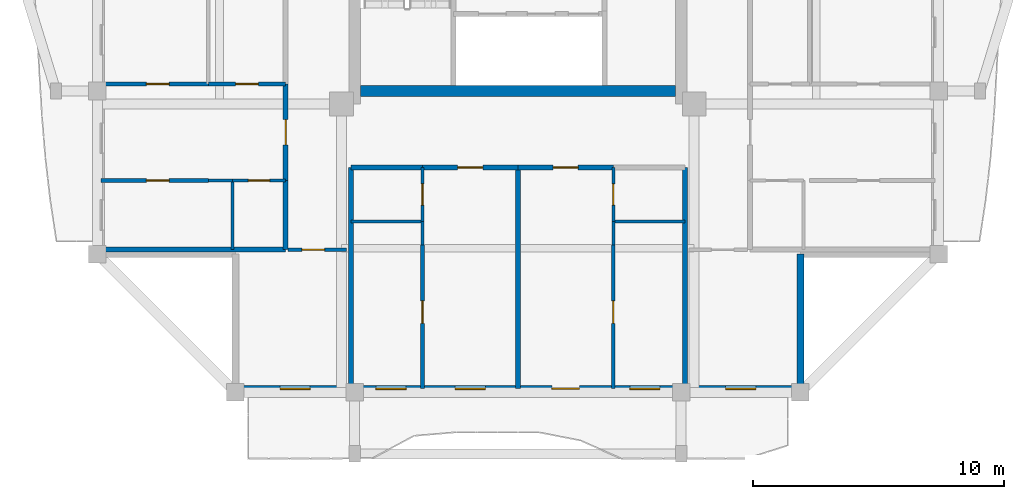
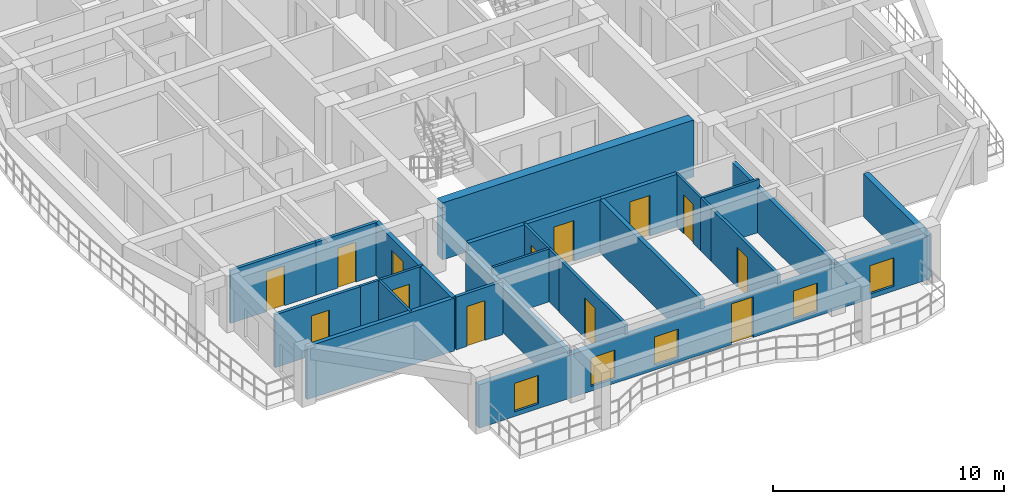
# One storey, part 2 of 13: 27 walls, 13 doors, 5 windows, 18 openings.
"""IFC4 building model written with IfcOpenShell, lengths in metres."""

from ifc_helpers import new_model, si_unit, direction, frame, frame_2d, origin, place, context, subcontext, project, spatial, rectangle, extrude, source, transform, mapped, material, layer, layer_set, type_object, element, fill, save


model = new_model("IFC4")

# Units and contexts
model_context = context("Model", 3, precision=1e-05, world=origin(), true_north=direction((0.0, 1.0)))
body_context = subcontext(model_context, "Body", "Model", "MODEL_VIEW")
ifc_project = project(units=[si_unit("LENGTHUNIT", "METRE"), si_unit("AREAUNIT", "SQUARE_METRE"), si_unit("VOLUMEUNIT", "CUBIC_METRE"), si_unit("PLANEANGLEUNIT", "RADIAN"), si_unit("MASSUNIT", "GRAM", prefix="KILO")], contexts=[model_context])

# Site, building, storey
site_placement = place(None, origin())
site = spatial("IfcSite", under=ifc_project, at=site_placement, CompositionType="ELEMENT")
building_placement = place(site_placement, origin())
building = spatial("IfcBuilding", under=site, at=building_placement, Name="Saelheon Loggia Tower", CompositionType="ELEMENT")
storey_placement = place(building_placement, frame((0.0, 0.0, 223.199951171875)))
storey = spatial("IfcBuildingStorey", under=building, at=storey_placement, Name="L69", CompositionType="ELEMENT", Elevation=223.199951171875)

# Wall
ifc_material_1 = material(Name="Concrete C45/55", Category="concrete")
ifc_layer_1 = layer(ifc_material_1, 0.449951171875)
ifc_layer_set_1 = layer_set([ifc_layer_1], Name="Concrete C45/55")
wall_type_1 = type_object("IfcWallType", Name="Wall_CoreShear_450", PredefinedType="SHEAR", material=ifc_layer_set_1)
wall_1_placement = place(storey_placement, frame((31.72509765625, 18.0, 0.0), z_axis=(0.0, 0.0, 1.0), x_axis=(1.0, 0.0, 0.0)))
element("IfcWall", 1, at=wall_1_placement, inside=storey, type_object=wall_type_1, Name="L69 Core Shear Wall South", PredefinedType="SHEAR", context=body_context, shape_type="SweptSolid", body=[
    extrude(rectangle(XDim=12.5498046875, YDim=0.449951171875, at=frame_2d((6.27490234375, 0.0))), origin(), (0.0, 0.0, 1.0), 3.0),
])

# Wall, openings, windows, door
ifc_material_2 = material(Name="Architectural Precast Concrete C40/50", Category="concrete")
ifc_layer_2 = layer(ifc_material_2, 0.280029296875)
ifc_layer_set_2 = layer_set([ifc_layer_2], Name="Architectural Precast Concrete C40/50")
wall_type_2 = type_object("IfcWallType", Name="Wall_Ext_Loggia_280", PredefinedType="SOLIDWALL", material=ifc_layer_set_2)
wall_2_placement = place(storey_placement, frame((26.75, 6.139892578125, 0.0), z_axis=(0.0, 0.0, 1.0), x_axis=(1.0, 0.0, 0.0)))
wall_2 = element("IfcWall", 2, at=wall_2_placement, inside=storey, type_object=wall_type_2, Name="L69 South Loggia Inner Wall", PredefinedType="SOLIDWALL", context=body_context, shape_type="SweptSolid", body=[
    extrude(rectangle(XDim=22.5, YDim=0.280029296875, at=frame_2d((11.25, 0.0))), origin(), (0.0, 0.0, 1.0), 2.280029296875),
])
opening_1_placement = place(wall_2_placement, frame((1.77490234375, 0.0, 0.25)))
opening_1 = element("IfcOpeningElement", 3, at=opening_1_placement, cuts=wall_2, Name="Opening WN-03", PredefinedType="OPENING", context=body_context, shape_type="SweptSolid", body=[
    extrude(rectangle(XDim=1.199951171875, YDim=1.5, at=frame_2d((0.60009765625, 0.75))), frame((0.0, 0.152099609375, 0.0), z_axis=(0.0, -1.0, 0.0), x_axis=(1.0, 0.0, 0.0)), (0.0, 0.0, 1.0), 0.303955078125),
])
opening_2_placement = place(wall_2_placement, frame((5.594970703125, 0.0, 0.25)))
opening_2 = element("IfcOpeningElement", 4, at=opening_2_placement, cuts=wall_2, Name="Opening WN-03", PredefinedType="OPENING", context=body_context, shape_type="SweptSolid", body=[
    extrude(rectangle(XDim=1.199951171875, YDim=1.5, at=frame_2d((0.60009765625, 0.75))), frame((0.0, 0.152099609375, 0.0), z_axis=(0.0, -1.0, 0.0), x_axis=(1.0, 0.0, 0.0)), (0.0, 0.0, 1.0), 0.303955078125),
])
opening_3_placement = place(wall_2_placement, frame((8.75, 0.0, 0.25)))
opening_3 = element("IfcOpeningElement", 5, at=opening_3_placement, cuts=wall_2, Name="Opening WN-03", PredefinedType="OPENING", context=body_context, shape_type="SweptSolid", body=[
    extrude(rectangle(XDim=1.199951171875, YDim=1.5, at=frame_2d((0.60009765625, 0.75))), frame((0.0, 0.152099609375, 0.0), z_axis=(0.0, -1.0, 0.0), x_axis=(1.0, 0.0, 0.0)), (0.0, 0.0, 1.0), 0.303955078125),
])
opening_4_placement = place(wall_2_placement, frame((13.7001953125, 0.0, 0.0), z_axis=(0.0, 0.0, 1.0), x_axis=(-1.0, 0.0, 0.0)))
opening_4 = element("IfcOpeningElement", 6, at=opening_4_placement, cuts=wall_2, Name="Opening TD1", PredefinedType="OPENING", context=body_context, shape_type="SweptSolid", body=[
    extrude(rectangle(XDim=1.10009765625, YDim=2.14990234375, at=frame_2d((0.550048828125, 1.074951171875))), frame((0.0, 0.152099609375, 0.0), z_axis=(0.0, -1.0, 0.0), x_axis=(1.0, 0.0, 0.0)), (0.0, 0.0, 1.0), 0.303955078125),
])
opening_5_placement = place(wall_2_placement, frame((15.705078125, 0.0, 0.25)))
opening_5 = element("IfcOpeningElement", 7, at=opening_5_placement, cuts=wall_2, Name="Opening WN-03", PredefinedType="OPENING", context=body_context, shape_type="SweptSolid", body=[
    extrude(rectangle(XDim=1.199951171875, YDim=1.5, at=frame_2d((0.60009765625, 0.75))), frame((0.0, 0.152099609375, 0.0), z_axis=(0.0, -1.0, 0.0), x_axis=(1.0, 0.0, 0.0)), (0.0, 0.0, 1.0), 0.303955078125),
])
opening_6_placement = place(wall_2_placement, frame((19.52490234375, 0.0, 0.25)))
opening_6 = element("IfcOpeningElement", 8, at=opening_6_placement, cuts=wall_2, Name="Opening WN-03", PredefinedType="OPENING", context=body_context, shape_type="SweptSolid", body=[
    extrude(rectangle(XDim=1.199951171875, YDim=1.5, at=frame_2d((0.60009765625, 0.75))), frame((0.0, 0.152099609375, 0.0), z_axis=(0.0, -1.0, 0.0), x_axis=(1.0, 0.0, 0.0)), (0.0, 0.0, 1.0), 0.303955078125),
])
ifc_material_3 = material(Name="Thermal-Break Aluminium and Triple Low-E Glass", Category="aluminium")
window_type = type_object("IfcWindowType", Name="Win_Bedroom_1200x1500", PartitioningType="SINGLE_PANEL", PredefinedType="WINDOW", material=ifc_material_3)
shared_shape_1 = source(origin(), body_context, "Body", "SweptSolid", [
    extrude(rectangle(XDim=1.199951171875, YDim=1.5, at=frame_2d((0.60009765625, 0.75))), frame((0.0, 0.030029296875, 0.0), z_axis=(0.0, -1.0, 0.0), x_axis=(1.0, 0.0, 0.0)), (0.0, 0.0, 1.0), 0.06005859375),
])
window_1_placement = place(opening_1_placement, origin())
window_1 = element("IfcWindow", 9, at=window_1_placement, inside=storey, type_object=window_type, Name="L69 S Dwelling Window 1", OverallHeight=1.5, OverallWidth=1.199951171875, PartitioningType="SINGLE_PANEL", PredefinedType="WINDOW", context=body_context, shape_type="MappedRepresentation", body=[
    mapped(shared_shape_1, transform((0.0, 0.0, 0.0), scale=1.0)),
])
fill(opening_1, window_1)
window_2_placement = place(opening_2_placement, origin())
window_2 = element("IfcWindow", 10, at=window_2_placement, inside=storey, type_object=window_type, Name="L69 S Dwelling Window 2", OverallHeight=1.5, OverallWidth=1.199951171875, PartitioningType="SINGLE_PANEL", PredefinedType="WINDOW", context=body_context, shape_type="MappedRepresentation", body=[
    mapped(shared_shape_1, transform((0.0, 0.0, 0.0), scale=1.0)),
])
fill(opening_2, window_2)
window_3_placement = place(opening_3_placement, origin())
window_3 = element("IfcWindow", 11, at=window_3_placement, inside=storey, type_object=window_type, Name="L69 S Dwelling Window 3", OverallHeight=1.5, OverallWidth=1.199951171875, PartitioningType="SINGLE_PANEL", PredefinedType="WINDOW", context=body_context, shape_type="MappedRepresentation", body=[
    mapped(shared_shape_1, transform((0.0, 0.0, 0.0), scale=1.0)),
])
fill(opening_3, window_3)
window_4_placement = place(opening_5_placement, origin())
window_4 = element("IfcWindow", 12, at=window_4_placement, inside=storey, type_object=window_type, Name="L69 S Dwelling Window 5", OverallHeight=1.5, OverallWidth=1.199951171875, PartitioningType="SINGLE_PANEL", PredefinedType="WINDOW", context=body_context, shape_type="MappedRepresentation", body=[
    mapped(shared_shape_1, transform((0.0, 0.0, 0.0), scale=1.0)),
])
fill(opening_5, window_4)
window_5_placement = place(opening_6_placement, origin())
window_5 = element("IfcWindow", 13, at=window_5_placement, inside=storey, type_object=window_type, Name="L69 S Dwelling Window 6", OverallHeight=1.5, OverallWidth=1.199951171875, PartitioningType="SINGLE_PANEL", PredefinedType="WINDOW", context=body_context, shape_type="MappedRepresentation", body=[
    mapped(shared_shape_1, transform((0.0, 0.0, 0.0), scale=1.0)),
])
fill(opening_6, window_5)
ifc_material_4 = material(Name="Thermal-Break Aluminium Glazed Door", Category="aluminium")
door_type_1 = type_object("IfcDoorType", Name="Door_Terrace_TD1", OperationType="NOTDEFINED", PredefinedType="DOOR", material=ifc_material_4)
shared_shape_2 = source(origin(), body_context, "Body", "SweptSolid", [
    extrude(rectangle(XDim=1.10009765625, YDim=2.14990234375, at=frame_2d((0.550048828125, 1.074951171875))), frame((0.0, 0.02490234375, 0.0), z_axis=(0.0, -1.0, 0.0), x_axis=(1.0, 0.0, 0.0)), (0.0, 0.0, 1.0), 0.050048828125),
])
door_1_placement = place(opening_4_placement, origin())
door_1 = element("IfcDoor", 14, at=door_1_placement, inside=storey, type_object=door_type_1, Name="L69 S Loggia Access Door", OperationType="SINGLE_SWING_RIGHT", OverallHeight=2.14990234375, OverallWidth=1.10009765625, PredefinedType="DOOR", context=body_context, shape_type="MappedRepresentation", body=[
    mapped(shared_shape_2, transform((0.0, 0.0, 0.0), scale=1.0)),
])
fill(opening_4, door_1)

# Wall
wall_3_placement = place(storey_placement, frame((49.25, 6.080078125, 0.0), z_axis=(0.0, 0.0, 1.0), x_axis=(0.0, 1.0, 0.0)))
element("IfcWall", 15, at=wall_3_placement, inside=storey, type_object=wall_type_2, Name="L69 Corner Notch Precast Wall SE1", PredefinedType="SOLIDWALL", context=body_context, shape_type="SweptSolid", body=[
    extrude(rectangle(XDim=5.419921875, YDim=0.280029296875, at=frame_2d((2.7099609375, 0.0))), origin(), (0.0, 0.0, 1.0), 2.280029296875),
])

# Wall, opening, door
ifc_material_5 = material(Name="Lightweight Autoclaved Aerated Concrete Block and Acoustic Gypsum", Category="concrete")
ifc_layer_3 = layer(ifc_material_5, 0.14990234375)
ifc_layer_set_3 = layer_set([ifc_layer_3], Name="Lightweight Autoclaved Aerated Concrete Block and Acoustic Gypsum")
wall_type_3 = type_object("IfcWallType", Name="Wall_Part_150", PredefinedType="PARTITIONING", material=ifc_layer_set_3)
wall_4_placement = place(storey_placement, frame((28.85009765625, 11.679931640625, 0.0), z_axis=(0.0, 0.0, 1.0), x_axis=(1.0, 0.0, 0.0)))
wall_4 = element("IfcWall", 16, at=wall_4_placement, inside=storey, type_object=wall_type_3, Name="PW-L69-CSW-H", PredefinedType="PARTITIONING", context=body_context, shape_type="SweptSolid", body=[
    extrude(rectangle(XDim=2.329833984375, YDim=0.14990234375, at=frame_2d((1.1650390625, 0.0))), origin(), (0.0, 0.0, 1.0), 2.7900390625),
])
opening_7_placement = place(wall_4_placement, frame((0.550048828125, 0.0, 0.0)))
opening_7 = element("IfcOpeningElement", 17, at=opening_7_placement, cuts=wall_4, Name="Opening D-IN2", PredefinedType="OPENING", context=body_context, shape_type="SweptSolid", body=[
    extrude(rectangle(XDim=0.89990234375, YDim=2.10009765625, at=frame_2d((0.449951171875, 1.050048828125))), frame((0.0, 0.0869140625, 0.0), z_axis=(0.0, -1.0, 0.0), x_axis=(1.0, 0.0, 0.0)), (0.0, 0.0, 1.0), 0.173828125),
])
ifc_material_6 = material(Name="Engineered Oak Flush Door", Category="timber")
door_type_2 = type_object("IfcDoorType", Name="Door_Int_900", OperationType="NOTDEFINED", PredefinedType="DOOR", material=ifc_material_6)
shared_shape_3 = source(origin(), body_context, "Body", "SweptSolid", [
    extrude(rectangle(XDim=0.89990234375, YDim=2.10009765625, at=frame_2d((0.449951171875, 1.050048828125))), frame((0.0, 0.02490234375, 0.0), z_axis=(0.0, -1.0, 0.0), x_axis=(1.0, 0.0, 0.0)), (0.0, 0.0, 1.0), 0.050048828125),
])
door_2_placement = place(opening_7_placement, origin())
door_2 = element("IfcDoor", 18, at=door_2_placement, inside=storey, type_object=door_type_2, Name="L69 Corner Home Office SW Door", OperationType="SINGLE_SWING_RIGHT", OverallHeight=2.10009765625, OverallWidth=0.89990234375, PredefinedType="DOOR", context=body_context, shape_type="MappedRepresentation", body=[
    mapped(shared_shape_3, transform((0.0, 0.0, 0.0), scale=1.0)),
])
fill(opening_7, door_2)

wall_5_placement = place(storey_placement, frame((34.199951171875, 11.8701171875, 0.0), z_axis=(0.0, 0.0, 1.0), x_axis=(0.0, -1.0, 0.0)))
wall_5 = element("IfcWall", 19, at=wall_5_placement, inside=storey, type_object=wall_type_3, Name="L69 S Partition U08", PredefinedType="PARTITIONING", context=body_context, shape_type="SweptSolid", body=[
    extrude(rectangle(XDim=5.72021484375, YDim=0.14990234375, at=frame_2d((2.860107421875, 0.0))), origin(), (0.0, 0.0, 1.0), 2.7900390625),
])
opening_8_placement = place(wall_5_placement, frame((2.229248046875, 0.0, 0.0)))
opening_8 = element("IfcOpeningElement", 20, at=opening_8_placement, cuts=wall_5, Name="Opening D-IN2", PredefinedType="OPENING", context=body_context, shape_type="SweptSolid", body=[
    extrude(rectangle(XDim=0.89990234375, YDim=2.10009765625, at=frame_2d((0.449951171875, 1.050048828125))), frame((0.0, 0.0869140625, 0.0), z_axis=(0.0, -1.0, 0.0), x_axis=(1.0, 0.0, 0.0)), (0.0, 0.0, 1.0), 0.173828125),
])
door_3_placement = place(opening_8_placement, origin())
door_3 = element("IfcDoor", 21, at=door_3_placement, inside=storey, type_object=door_type_2, Name="Unit U01 Kitchen Door", OperationType="SINGLE_SWING_RIGHT", OverallHeight=2.10009765625, OverallWidth=0.89990234375, PredefinedType="DOOR", context=body_context, shape_type="MappedRepresentation", body=[
    mapped(shared_shape_3, transform((0.0, 0.0, 0.0), scale=1.0)),
])
fill(opening_8, door_3)

wall_6_placement = place(storey_placement, frame((41.800048828125, 11.8701171875, 0.0), z_axis=(0.0, 0.0, 1.0), x_axis=(0.0, -1.0, 0.0)))
wall_6 = element("IfcWall", 22, at=wall_6_placement, inside=storey, type_object=wall_type_3, Name="L69 S Partition U15", PredefinedType="PARTITIONING", context=body_context, shape_type="SweptSolid", body=[
    extrude(rectangle(XDim=5.72021484375, YDim=0.14990234375, at=frame_2d((2.860107421875, 0.0))), origin(), (0.0, 0.0, 1.0), 2.7900390625),
])
opening_9_placement = place(wall_6_placement, frame((2.229248046875, 0.0, 0.0)))
opening_9 = element("IfcOpeningElement", 23, at=opening_9_placement, cuts=wall_6, Name="Opening D-IN2", PredefinedType="OPENING", context=body_context, shape_type="SweptSolid", body=[
    extrude(rectangle(XDim=0.89990234375, YDim=2.10009765625, at=frame_2d((0.449951171875, 1.050048828125))), frame((0.0, 0.0869140625, 0.0), z_axis=(0.0, -1.0, 0.0), x_axis=(1.0, 0.0, 0.0)), (0.0, 0.0, 1.0), 0.173828125),
])
door_4_placement = place(opening_9_placement, origin())
door_4 = element("IfcDoor", 24, at=door_4_placement, inside=storey, type_object=door_type_2, Name="Unit U02 Kitchen Door", OperationType="SINGLE_SWING_LEFT", OverallHeight=2.10009765625, OverallWidth=0.89990234375, PredefinedType="DOOR", context=body_context, shape_type="MappedRepresentation", body=[
    mapped(shared_shape_3, transform((0.0, 0.0, 0.0), scale=1.0)),
])
fill(opening_9, door_4)

wall_7_placement = place(storey_placement, frame((25.669921875, 14.429931640625, 0.0), z_axis=(0.0, 0.0, 1.0), x_axis=(-1.0, 0.0, 0.0)))
wall_7 = element("IfcWall", 25, at=wall_7_placement, inside=storey, type_object=wall_type_3, Name="L69 W Partition U10", PredefinedType="PARTITIONING", context=body_context, shape_type="SweptSolid", body=[
    extrude(rectangle(XDim=4.27001953125, YDim=0.14990234375, at=frame_2d((2.135009765625, 0.0))), origin(), (0.0, 0.0, 1.0), 2.7900390625),
])
opening_10_placement = place(wall_7_placement, frame((1.564697265625, 0.0, 0.0)))
opening_10 = element("IfcOpeningElement", 26, at=opening_10_placement, cuts=wall_7, Name="Opening D-IN2", PredefinedType="OPENING", context=body_context, shape_type="SweptSolid", body=[
    extrude(rectangle(XDim=0.89990234375, YDim=2.10009765625, at=frame_2d((0.449951171875, 1.050048828125))), frame((0.0, 0.0869140625, 0.0), z_axis=(0.0, -1.0, 0.0), x_axis=(1.0, 0.0, 0.0)), (0.0, 0.0, 1.0), 0.173828125),
])
door_5_placement = place(opening_10_placement, origin())
door_5 = element("IfcDoor", 27, at=door_5_placement, inside=storey, type_object=door_type_2, Name="Unit U05 Kitchen Door", OperationType="SINGLE_SWING_LEFT", OverallHeight=2.10009765625, OverallWidth=0.89990234375, PredefinedType="DOOR", context=body_context, shape_type="MappedRepresentation", body=[
    mapped(shared_shape_3, transform((0.0, 0.0, 0.0), scale=1.0)),
])
fill(opening_10, door_5)

wall_8_placement = place(storey_placement, frame((28.75, 18.280029296875, 0.0), z_axis=(0.0, 0.0, 1.0), x_axis=(-1.0, 0.0, 0.0)))
wall_8 = element("IfcWall", 28, at=wall_8_placement, inside=storey, type_object=wall_type_3, Name="L69 W Partition U11", PredefinedType="PARTITIONING", context=body_context, shape_type="SweptSolid", body=[
    extrude(rectangle(XDim=3.080078125, YDim=0.14990234375, at=frame_2d((1.5400390625, 0.0))), origin(), (0.0, 0.0, 1.0), 2.7900390625),
])
opening_11_placement = place(wall_8_placement, frame((1.090087890625, 0.0, 0.0)))
opening_11 = element("IfcOpeningElement", 29, at=opening_11_placement, cuts=wall_8, Name="Opening D-IN2", PredefinedType="OPENING", context=body_context, shape_type="SweptSolid", body=[
    extrude(rectangle(XDim=0.89990234375, YDim=2.10009765625, at=frame_2d((0.449951171875, 1.050048828125))), frame((0.0, 0.0869140625, 0.0), z_axis=(0.0, -1.0, 0.0), x_axis=(1.0, 0.0, 0.0)), (0.0, 0.0, 1.0), 0.173828125),
])
door_6_placement = place(opening_11_placement, origin())
door_6 = element("IfcDoor", 30, at=door_6_placement, inside=storey, type_object=door_type_2, Name="Unit U05 Home Office Door", OperationType="SINGLE_SWING_RIGHT", OverallHeight=2.10009765625, OverallWidth=0.89990234375, PredefinedType="DOOR", context=body_context, shape_type="MappedRepresentation", body=[
    mapped(shared_shape_3, transform((0.0, 0.0, 0.0), scale=1.0)),
])
fill(opening_11, door_6)

wall_9_placement = place(storey_placement, frame((25.669921875, 18.280029296875, 0.0), z_axis=(0.0, 0.0, 1.0), x_axis=(-1.0, 0.0, 0.0)))
wall_9 = element("IfcWall", 31, at=wall_9_placement, inside=storey, type_object=wall_type_3, Name="L69 W Partition U12", PredefinedType="PARTITIONING", context=body_context, shape_type="SweptSolid", body=[
    extrude(rectangle(XDim=4.27001953125, YDim=0.14990234375, at=frame_2d((2.135009765625, 0.0))), origin(), (0.0, 0.0, 1.0), 2.7900390625),
])
opening_12_placement = place(wall_9_placement, frame((1.564697265625, 0.0, 0.0)))
opening_12 = element("IfcOpeningElement", 32, at=opening_12_placement, cuts=wall_9, Name="Opening D-IN2", PredefinedType="OPENING", context=body_context, shape_type="SweptSolid", body=[
    extrude(rectangle(XDim=0.89990234375, YDim=2.10009765625, at=frame_2d((0.449951171875, 1.050048828125))), frame((0.0, 0.0869140625, 0.0), z_axis=(0.0, -1.0, 0.0), x_axis=(1.0, 0.0, 0.0)), (0.0, 0.0, 1.0), 0.173828125),
])
door_7_placement = place(opening_12_placement, origin())
door_7 = element("IfcDoor", 33, at=door_7_placement, inside=storey, type_object=door_type_2, Name="Unit U05 Bedroom 1 Door", OperationType="SINGLE_SWING_LEFT", OverallHeight=2.10009765625, OverallWidth=0.89990234375, PredefinedType="DOOR", context=body_context, shape_type="MappedRepresentation", body=[
    mapped(shared_shape_3, transform((0.0, 0.0, 0.0), scale=1.0)),
])
fill(opening_12, door_7)

# Walls
ifc_material_7 = material(Name="Double Acoustic Stud and Fireboard Partition", Category="gypsum")
ifc_layer_4 = layer(ifc_material_7, 0.199951171875)
ifc_layer_set_4 = layer_set([ifc_layer_4], Name="Double Acoustic Stud and Fireboard Partition")
wall_type_4 = type_object("IfcWallType", Name="Wall_Party_200", PredefinedType="PARTITIONING", material=ifc_layer_set_4)
for number, where, z_axis, x_axis, name in (
    (34, (31.35009765625, 14.949951171875, 0.0), (0.0, 0.0, 1.0), (0.0, -1.0, 0.0), "L69 S Partition U01"),
    (35, (44.64990234375, 14.949951171875, 0.0), (0.0, 0.0, 1.0), (0.0, -1.0, 0.0), "L69 S Partition U02"),
):
    element("IfcWall", number, at=place(storey_placement, frame(where, z_axis=z_axis, x_axis=x_axis)), inside=storey, type_object=wall_type_4, Name=name, PredefinedType="PARTITIONING", context=body_context, shape_type="SweptSolid", body=[
        extrude(rectangle(XDim=8.800048828125, YDim=0.199951171875, at=frame_2d((4.39990234375, 0.0))), origin(), (0.0, 0.0, 1.0), 2.39013671875),
    ])
wall_10_placement = place(storey_placement, frame((31.35009765625, 14.949951171875, 0.0), z_axis=(0.0, 0.0, 1.0), x_axis=(1.0, 0.0, 0.0)))
element("IfcWall", 36, at=wall_10_placement, inside=storey, type_object=wall_type_4, Name="L69 S Partition V03", PredefinedType="PARTITIONING", context=body_context, shape_type="SweptSolid", body=[
    extrude(rectangle(XDim=2.849853515625, YDim=0.199951171875, at=frame_2d((1.4248046875, 0.0))), origin(), (0.0, 0.0, 1.0), 2.7900390625),
])

# Wall, opening, door
wall_11_placement = place(storey_placement, frame((34.199951171875, 14.949951171875, 0.0), z_axis=(0.0, 0.0, 1.0), x_axis=(1.0, 0.0, 0.0)))
wall_11 = element("IfcWall", 37, at=wall_11_placement, inside=storey, type_object=wall_type_4, Name="L69 S Partition V04", PredefinedType="PARTITIONING", context=body_context, shape_type="SweptSolid", body=[
    extrude(rectangle(XDim=3.800048828125, YDim=0.199951171875, at=frame_2d((1.89990234375, 0.0))), origin(), (0.0, 0.0, 1.0), 2.7900390625),
])
opening_13_placement = place(wall_11_placement, frame((1.39990234375, 0.0, 0.0)))
opening_13 = element("IfcOpeningElement", 38, at=opening_13_placement, cuts=wall_11, Name="Opening D-FD1", PredefinedType="OPENING", context=body_context, shape_type="SweptSolid", body=[
    extrude(rectangle(XDim=1.0, YDim=2.14990234375, at=frame_2d((0.5, 1.074951171875))), frame((0.0, 0.112060546875, 0.0), z_axis=(0.0, -1.0, 0.0), x_axis=(1.0, 0.0, 0.0)), (0.0, 0.0, 1.0), 0.223876953125),
])
ifc_material_8 = material(Name="Fire-Rated Engineered Timber Entrance Door", Category="wood")
door_type_3 = type_object("IfcDoorType", Name="Door_Flat_FD30S", OperationType="NOTDEFINED", PredefinedType="DOOR", material=ifc_material_8)
shared_shape_4 = source(origin(), body_context, "Body", "SweptSolid", [
    extrude(rectangle(XDim=1.0, YDim=2.14990234375, at=frame_2d((0.5, 1.074951171875))), frame((0.0, 0.02490234375, 0.0), z_axis=(0.0, -1.0, 0.0), x_axis=(1.0, 0.0, 0.0)), (0.0, 0.0, 1.0), 0.050048828125),
])
door_8_placement = place(opening_13_placement, origin())
door_8 = element("IfcDoor", 39, at=door_8_placement, inside=storey, type_object=door_type_3, Name="Unit U01 Entrance Door", OperationType="SINGLE_SWING_RIGHT", OverallHeight=2.14990234375, OverallWidth=1.0, PredefinedType="DOOR", context=body_context, shape_type="MappedRepresentation", body=[
    mapped(shared_shape_4, transform((0.0, 0.0, 0.0), scale=1.0)),
])
fill(opening_13, door_8)

# Wall
wall_12_placement = place(storey_placement, frame((38.0, 14.949951171875, 0.0), z_axis=(0.0, 0.0, 1.0), x_axis=(0.0, -1.0, 0.0)))
element("IfcWall", 40, at=wall_12_placement, inside=storey, type_object=wall_type_4, Name="L69 S Partition U09", PredefinedType="PARTITIONING", context=body_context, shape_type="SweptSolid", body=[
    extrude(rectangle(XDim=8.800048828125, YDim=0.199951171875, at=frame_2d((4.39990234375, 0.0))), origin(), (0.0, 0.0, 1.0), 2.7900390625),
])

# Wall, opening, door
wall_13_placement = place(storey_placement, frame((38.0, 14.949951171875, 0.0), z_axis=(0.0, 0.0, 1.0), x_axis=(1.0, 0.0, 0.0)))
wall_13 = element("IfcWall", 41, at=wall_13_placement, inside=storey, type_object=wall_type_4, Name="L69 S Partition V10", PredefinedType="PARTITIONING", context=body_context, shape_type="SweptSolid", body=[
    extrude(rectangle(XDim=3.800048828125, YDim=0.199951171875, at=frame_2d((1.89990234375, 0.0))), origin(), (0.0, 0.0, 1.0), 2.7900390625),
])
opening_14_placement = place(wall_13_placement, frame((1.39990234375, 0.0, 0.0)))
opening_14 = element("IfcOpeningElement", 42, at=opening_14_placement, cuts=wall_13, Name="Opening D-FD1", PredefinedType="OPENING", context=body_context, shape_type="SweptSolid", body=[
    extrude(rectangle(XDim=1.0, YDim=2.14990234375, at=frame_2d((0.5, 1.074951171875))), frame((0.0, 0.112060546875, 0.0), z_axis=(0.0, -1.0, 0.0), x_axis=(1.0, 0.0, 0.0)), (0.0, 0.0, 1.0), 0.223876953125),
])
door_9_placement = place(opening_14_placement, origin())
door_9 = element("IfcDoor", 43, at=door_9_placement, inside=storey, type_object=door_type_3, Name="Unit U02 Entrance Door", OperationType="SINGLE_SWING_LEFT", OverallHeight=2.14990234375, OverallWidth=1.0, PredefinedType="DOOR", context=body_context, shape_type="MappedRepresentation", body=[
    mapped(shared_shape_4, transform((0.0, 0.0, 0.0), scale=1.0)),
])
fill(opening_14, door_9)

# Walls
wall_14_placement = place(storey_placement, frame((28.75, 11.679931640625, 0.0), z_axis=(0.0, 0.0, 1.0), x_axis=(-1.0, 0.0, 0.0)))
element("IfcWall", 44, at=wall_14_placement, inside=storey, type_object=wall_type_4, Name="L69 W Partition U01", PredefinedType="PARTITIONING", context=body_context, shape_type="SweptSolid", body=[
    extrude(rectangle(XDim=7.35009765625, YDim=0.199951171875, at=frame_2d((3.675048828125, 0.0))), origin(), (0.0, 0.0, 1.0), 2.7900390625),
])
wall_15_placement = place(storey_placement, frame((28.75, 11.679931640625, 0.0), z_axis=(0.0, 0.0, 1.0), x_axis=(0.0, 1.0, 0.0)))
element("IfcWall", 45, at=wall_15_placement, inside=storey, type_object=wall_type_4, Name="L69 W Partition V03", PredefinedType="PARTITIONING", context=body_context, shape_type="SweptSolid", body=[
    extrude(rectangle(XDim=2.75, YDim=0.199951171875, at=frame_2d((1.375, 0.0))), origin(), (0.0, 0.0, 1.0), 2.7900390625),
])

# Wall, opening, door
wall_16_placement = place(storey_placement, frame((28.75, 14.429931640625, 0.0), z_axis=(0.0, 0.0, 1.0), x_axis=(0.0, 1.0, 0.0)))
wall_16 = element("IfcWall", 46, at=wall_16_placement, inside=storey, type_object=wall_type_4, Name="L69 W Partition V04", PredefinedType="PARTITIONING", context=body_context, shape_type="SweptSolid", body=[
    extrude(rectangle(XDim=3.85009765625, YDim=0.199951171875, at=frame_2d((1.925048828125, 0.0))), origin(), (0.0, 0.0, 1.0), 2.7900390625),
])
opening_15_placement = place(wall_16_placement, frame((1.425048828125, 0.0, 0.0)))
opening_15 = element("IfcOpeningElement", 47, at=opening_15_placement, cuts=wall_16, Name="Opening D-FD1", PredefinedType="OPENING", context=body_context, shape_type="SweptSolid", body=[
    extrude(rectangle(XDim=1.0, YDim=2.14990234375, at=frame_2d((0.5, 1.074951171875))), frame((0.0, 0.112060546875, 0.0), z_axis=(0.0, -1.0, 0.0), x_axis=(1.0, 0.0, 0.0)), (0.0, 0.0, 1.0), 0.223876953125),
])
door_10_placement = place(opening_15_placement, origin())
door_10 = element("IfcDoor", 48, at=door_10_placement, inside=storey, type_object=door_type_3, Name="Unit U05 Entrance Door", OperationType="SINGLE_SWING_LEFT", OverallHeight=2.14990234375, OverallWidth=1.0, PredefinedType="DOOR", context=body_context, shape_type="MappedRepresentation", body=[
    mapped(shared_shape_4, transform((0.0, 0.0, 0.0), scale=1.0)),
])
fill(opening_15, door_10)

ifc_material_9 = material(Name="Moisture-Resistant Cement Board Partition", Category="gypsum")
ifc_layer_5 = layer(ifc_material_9, 0.1201171875)
ifc_layer_set_5 = layer_set([ifc_layer_5], Name="Moisture-Resistant Cement Board Partition")
wall_type_5 = type_object("IfcWallType", Name="Wall_WetPart_120", PredefinedType="PARTITIONING", material=ifc_layer_set_5)
wall_17_placement = place(storey_placement, frame((34.199951171875, 14.949951171875, 0.0), z_axis=(0.0, 0.0, 1.0), x_axis=(0.0, -1.0, 0.0)))
wall_17 = element("IfcWall", 49, at=wall_17_placement, inside=storey, type_object=wall_type_5, Name="L69 S Partition U05", PredefinedType="PARTITIONING", context=body_context, shape_type="SweptSolid", body=[
    extrude(rectangle(XDim=2.14990234375, YDim=0.1201171875, at=frame_2d((1.074951171875, 0.0))), origin(), (0.0, 0.0, 1.0), 2.7900390625),
])
opening_16_placement = place(wall_17_placement, frame((0.64990234375, 0.0, 0.0)))
opening_16 = element("IfcOpeningElement", 50, at=opening_16_placement, cuts=wall_17, Name="Opening D-BT1", PredefinedType="OPENING", context=body_context, shape_type="SweptSolid", body=[
    extrude(rectangle(XDim=0.85009765625, YDim=2.050048828125, at=frame_2d((0.425048828125, 1.02490234375))), frame((0.0, 0.072021484375, 0.0), z_axis=(0.0, -1.0, 0.0), x_axis=(1.0, 0.0, 0.0)), (0.0, 0.0, 1.0), 0.14404296875),
])
ifc_material_10 = material(Name="Moisture-Resistant Laminate Timber Door", Category="wood")
door_type_4 = type_object("IfcDoorType", Name="Door_Bath_850", OperationType="NOTDEFINED", PredefinedType="DOOR", material=ifc_material_10)
shared_shape_5 = source(origin(), body_context, "Body", "SweptSolid", [
    extrude(rectangle(XDim=0.85009765625, YDim=2.050048828125, at=frame_2d((0.425048828125, 1.02490234375))), frame((0.0, 0.02490234375, 0.0), z_axis=(0.0, -1.0, 0.0), x_axis=(1.0, 0.0, 0.0)), (0.0, 0.0, 1.0), 0.050048828125),
])
door_11_placement = place(opening_16_placement, origin())
door_11 = element("IfcDoor", 51, at=door_11_placement, inside=storey, type_object=door_type_4, Name="Unit U01 Bathroom Door", OperationType="SINGLE_SWING_LEFT", OverallHeight=2.050048828125, OverallWidth=0.85009765625, PredefinedType="DOOR", context=body_context, shape_type="MappedRepresentation", body=[
    mapped(shared_shape_5, transform((0.0, 0.0, 0.0), scale=1.0)),
])
fill(opening_16, door_11)

# Walls
wall_18_placement = place(storey_placement, frame((34.199951171875, 12.800048828125, 0.0), z_axis=(0.0, 0.0, 1.0), x_axis=(0.0, -1.0, 0.0)))
element("IfcWall", 52, at=wall_18_placement, inside=storey, type_object=wall_type_5, Name="L69 S Partition U06", PredefinedType="PARTITIONING", context=body_context, shape_type="SweptSolid", body=[
    extrude(rectangle(XDim=0.929931640625, YDim=0.1201171875, at=frame_2d((0.46484375, 0.0))), origin(), (0.0, 0.0, 1.0), 2.7900390625),
])
wall_19_placement = place(storey_placement, frame((31.35009765625, 12.800048828125, 0.0), z_axis=(0.0, 0.0, 1.0), x_axis=(1.0, 0.0, 0.0)))
element("IfcWall", 53, at=wall_19_placement, inside=storey, type_object=wall_type_5, Name="L69 S Partition V07", PredefinedType="PARTITIONING", context=body_context, shape_type="SweptSolid", body=[
    extrude(rectangle(XDim=2.849853515625, YDim=0.1201171875, at=frame_2d((1.4248046875, 0.0))), origin(), (0.0, 0.0, 1.0), 2.7900390625),
])

# Wall, opening, door
wall_20_placement = place(storey_placement, frame((41.800048828125, 14.949951171875, 0.0), z_axis=(0.0, 0.0, 1.0), x_axis=(0.0, -1.0, 0.0)))
wall_20 = element("IfcWall", 54, at=wall_20_placement, inside=storey, type_object=wall_type_5, Name="L69 S Partition U12", PredefinedType="PARTITIONING", context=body_context, shape_type="SweptSolid", body=[
    extrude(rectangle(XDim=2.14990234375, YDim=0.1201171875, at=frame_2d((1.074951171875, 0.0))), origin(), (0.0, 0.0, 1.0), 2.7900390625),
])
opening_17_placement = place(wall_20_placement, frame((0.64990234375, 0.0, 0.0)))
opening_17 = element("IfcOpeningElement", 55, at=opening_17_placement, cuts=wall_20, Name="Opening D-BT1", PredefinedType="OPENING", context=body_context, shape_type="SweptSolid", body=[
    extrude(rectangle(XDim=0.85009765625, YDim=2.050048828125, at=frame_2d((0.425048828125, 1.02490234375))), frame((0.0, 0.072021484375, 0.0), z_axis=(0.0, -1.0, 0.0), x_axis=(1.0, 0.0, 0.0)), (0.0, 0.0, 1.0), 0.14404296875),
])
door_12_placement = place(opening_17_placement, origin())
door_12 = element("IfcDoor", 56, at=door_12_placement, inside=storey, type_object=door_type_4, Name="Unit U02 Bathroom Door", OperationType="SINGLE_SWING_RIGHT", OverallHeight=2.050048828125, OverallWidth=0.85009765625, PredefinedType="DOOR", context=body_context, shape_type="MappedRepresentation", body=[
    mapped(shared_shape_5, transform((0.0, 0.0, 0.0), scale=1.0)),
])
fill(opening_17, door_12)

# Walls
wall_21_placement = place(storey_placement, frame((41.800048828125, 12.800048828125, 0.0), z_axis=(0.0, 0.0, 1.0), x_axis=(0.0, -1.0, 0.0)))
element("IfcWall", 57, at=wall_21_placement, inside=storey, type_object=wall_type_5, Name="L69 S Partition U13", PredefinedType="PARTITIONING", context=body_context, shape_type="SweptSolid", body=[
    extrude(rectangle(XDim=0.929931640625, YDim=0.1201171875, at=frame_2d((0.46484375, 0.0))), origin(), (0.0, 0.0, 1.0), 2.7900390625),
])
wall_22_placement = place(storey_placement, frame((41.800048828125, 12.800048828125, 0.0), z_axis=(0.0, 0.0, 1.0), x_axis=(1.0, 0.0, 0.0)))
element("IfcWall", 58, at=wall_22_placement, inside=storey, type_object=wall_type_5, Name="L69 S Partition V14", PredefinedType="PARTITIONING", context=body_context, shape_type="SweptSolid", body=[
    extrude(rectangle(XDim=2.849853515625, YDim=0.1201171875, at=frame_2d((1.4248046875, 0.0))), origin(), (0.0, 0.0, 1.0), 2.7900390625),
])
wall_23_placement = place(storey_placement, frame((26.6298828125, 11.679931640625, 0.0), z_axis=(0.0, 0.0, 1.0), x_axis=(0.0, 1.0, 0.0)))
element("IfcWall", 59, at=wall_23_placement, inside=storey, type_object=wall_type_5, Name="L69 W Partition V06", PredefinedType="PARTITIONING", context=body_context, shape_type="SweptSolid", body=[
    extrude(rectangle(XDim=2.75, YDim=0.1201171875, at=frame_2d((1.375, 0.0))), origin(), (0.0, 0.0, 1.0), 2.7900390625),
])

# Wall, opening, door
wall_24_placement = place(storey_placement, frame((28.75, 14.429931640625, 0.0), z_axis=(0.0, 0.0, 1.0), x_axis=(-1.0, 0.0, 0.0)))
wall_24 = element("IfcWall", 60, at=wall_24_placement, inside=storey, type_object=wall_type_5, Name="L69 W Partition U08", PredefinedType="PARTITIONING", context=body_context, shape_type="SweptSolid", body=[
    extrude(rectangle(XDim=2.1201171875, YDim=0.1201171875, at=frame_2d((1.06005859375, 0.0))), origin(), (0.0, 0.0, 1.0), 2.7900390625),
])
opening_18_placement = place(wall_24_placement, frame((0.635009765625, 0.0, 0.0)))
opening_18 = element("IfcOpeningElement", 61, at=opening_18_placement, cuts=wall_24, Name="Opening D-BT1", PredefinedType="OPENING", context=body_context, shape_type="SweptSolid", body=[
    extrude(rectangle(XDim=0.85009765625, YDim=2.050048828125, at=frame_2d((0.425048828125, 1.02490234375))), frame((0.0, 0.072021484375, 0.0), z_axis=(0.0, -1.0, 0.0), x_axis=(1.0, 0.0, 0.0)), (0.0, 0.0, 1.0), 0.14404296875),
])
door_13_placement = place(opening_18_placement, origin())
door_13 = element("IfcDoor", 62, at=door_13_placement, inside=storey, type_object=door_type_4, Name="Unit U05 Bathroom Door", OperationType="SINGLE_SWING_RIGHT", OverallHeight=2.050048828125, OverallWidth=0.85009765625, PredefinedType="DOOR", context=body_context, shape_type="MappedRepresentation", body=[
    mapped(shared_shape_5, transform((0.0, 0.0, 0.0), scale=1.0)),
])
fill(opening_18, door_13)

# Wall
wall_25_placement = place(storey_placement, frame((26.6298828125, 14.429931640625, 0.0), z_axis=(0.0, 0.0, 1.0), x_axis=(-1.0, 0.0, 0.0)))
element("IfcWall", 63, at=wall_25_placement, inside=storey, type_object=wall_type_5, Name="L69 W Partition U09", PredefinedType="PARTITIONING", context=body_context, shape_type="SweptSolid", body=[
    extrude(rectangle(XDim=0.9599609375, YDim=0.1201171875, at=frame_2d((0.47998046875, 0.0))), origin(), (0.0, 0.0, 1.0), 2.7900390625),
])

save(model, "model.ifc")
